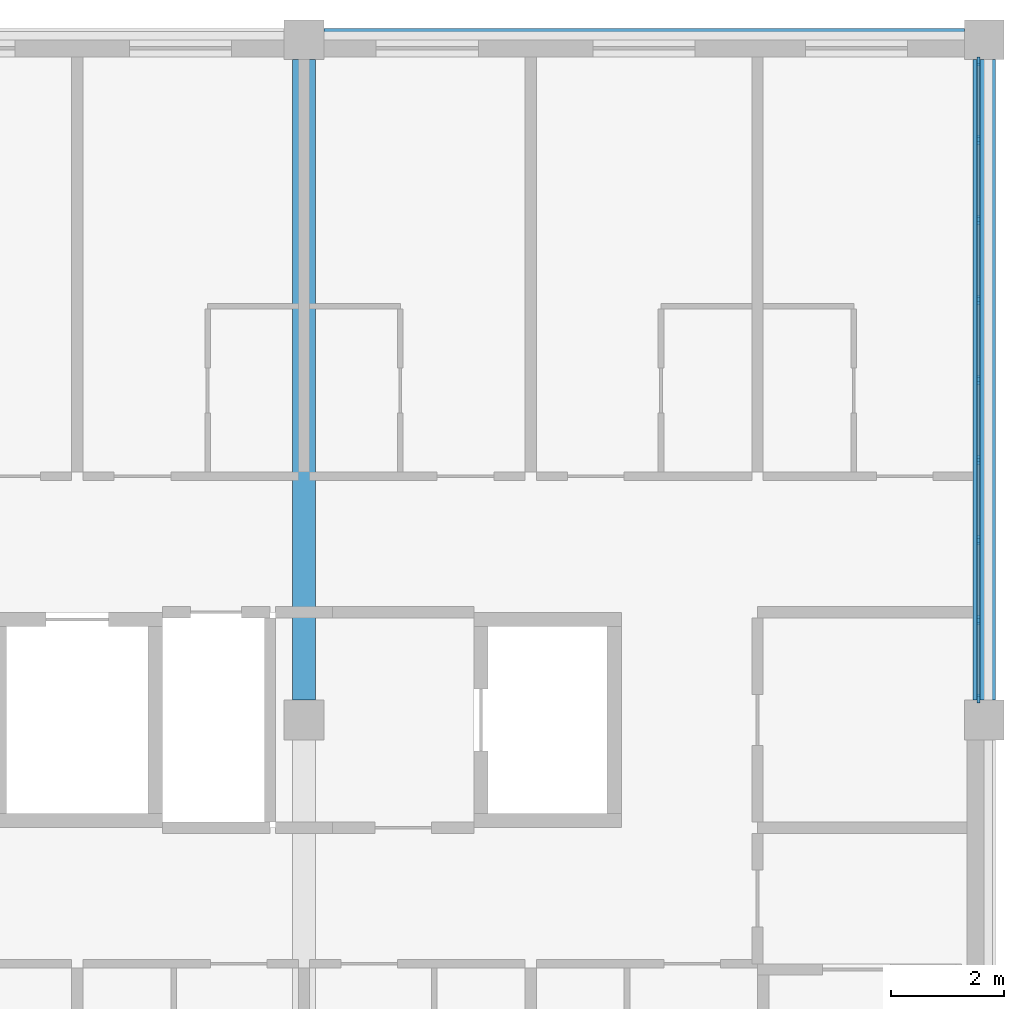
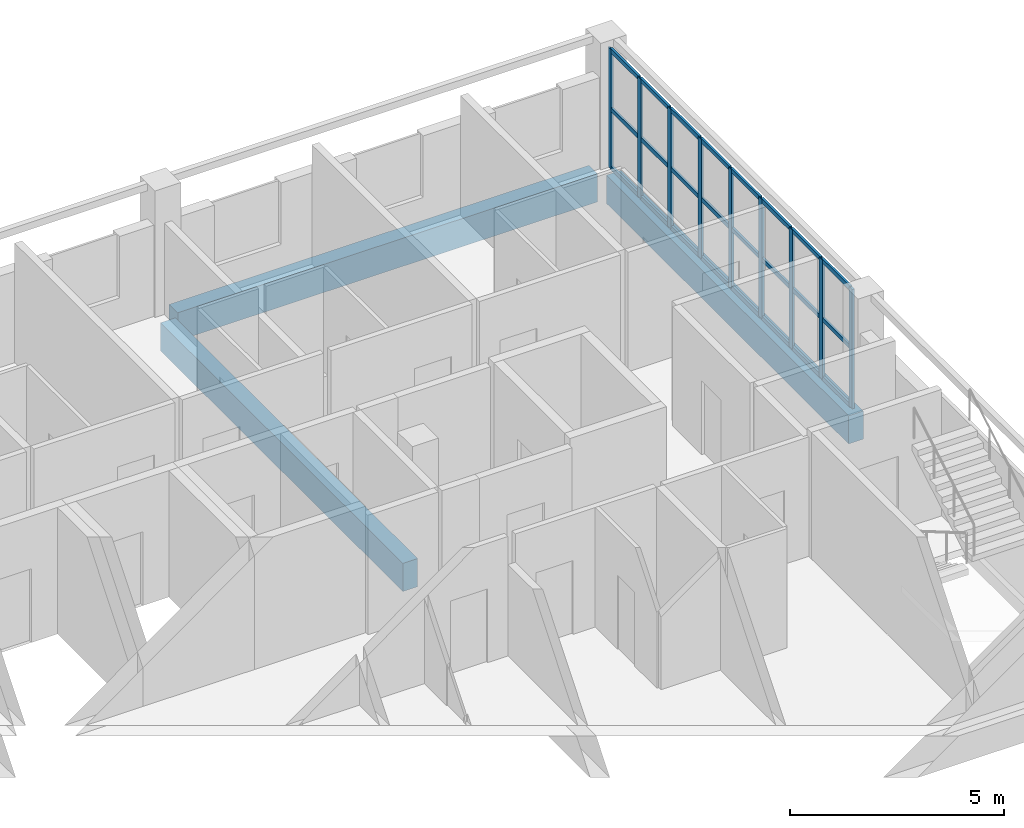
# One storey, part 4 of 11: 33 members, 3 beams, 1 element without a shape of its own.
"""IFC4 building model written with IfcOpenShell, lengths in metres."""

import ifcopenshell
import ifcopenshell.guid

model = None  # the IFC model being written
_history = None  # IfcOwnerHistory: only IFC2X3 demands one
_inside = {}  # id of a spatial element -> (the spatial element, [elements in it])
_under = {}  # id of a project, library or spatial element -> (it, [spatial elements below it])
_declared = {}  # id of a project -> (the project, [libraries it declares])
_typed = {}  # id of a type object -> (the type object, [elements of that type])
_made_of = {}  # id of a material, layer set ... -> (it, [elements and type objects made of it])


def new_model(schema):
    """Start an empty IFC model of exactly this schema.

    Asked for "IFC4X3", IfcOpenShell would pick the latest addendum, in which some entities
    have other attributes; the version numbers below select the first issue.
    IFC2X3 requires an IfcOwnerHistory on every rooted entity: one is made here for all.
    """
    global model, _history
    if schema == "IFC4X3":
        model = ifcopenshell.file(schema_version=(4, 3, 0, 0))
    else:
        model = ifcopenshell.file(schema=schema)
    _inside.clear()
    _under.clear()
    _declared.clear()
    _typed.clear()
    _made_of.clear()
    _history = None
    if model.schema == "IFC2X3":
        org = make("IfcOrganization", Name="unknown")
        user = make(
            "IfcPersonAndOrganization",
            ThePerson=make("IfcPerson", FamilyName="unknown"),
            TheOrganization=org,
        )
        app = make(
            "IfcApplication",
            ApplicationDeveloper=org,
            Version="unknown",
            ApplicationFullName="unknown",
            ApplicationIdentifier="unknown",
        )
        _history = make(
            "IfcOwnerHistory",
            OwningUser=user,
            OwningApplication=app,
            ChangeAction="ADDED",
            CreationDate=0,
        )
    return model


def make(cls, **values):
    """One entity of the class cls with the attributes given. An attribute that is None is left unset."""
    return model.create_entity(
        cls, **{name: value for name, value in values.items() if value is not None}
    )


def rooted(cls, **values):
    """An entity with a GlobalId (a new one), such as an element, a storey or a relation."""
    return make(cls, GlobalId=ifcopenshell.guid.new(), OwnerHistory=_history, **values)


def si_unit(unit_type, name, prefix=None):
    """IfcSIUnit, for example si_unit("LENGTHUNIT", "METRE", prefix="MILLI")."""
    return make("IfcSIUnit", UnitType=unit_type, Prefix=prefix, Name=name)


def assignment(units):
    """IfcUnitAssignment: the units of a project."""
    return None if units is None else make("IfcUnitAssignment", Units=units)


def point(xyz):
    """IfcCartesianPoint."""
    return None if xyz is None else make("IfcCartesianPoint", Coordinates=xyz)


def direction(xyz):
    """IfcDirection."""
    return None if xyz is None else make("IfcDirection", DirectionRatios=xyz)


def frame(location, z_axis=None, x_axis=None):
    """IfcAxis2Placement3D, a coordinate frame: its origin and axes. An axis left out is left unset."""
    return make(
        "IfcAxis2Placement3D",
        Location=point(location),
        Axis=direction(z_axis),
        RefDirection=direction(x_axis),
    )


def frame_2d(location, x_axis=None):
    """IfcAxis2Placement2D, a coordinate frame in the plane: its origin and x axis."""
    return make(
        "IfcAxis2Placement2D", Location=point(location), RefDirection=direction(x_axis)
    )


def origin():
    """The frame at (0, 0, 0) with its axes left unset."""
    return frame((0.0, 0.0, 0.0))


def origin_2d():
    """The frame at (0, 0) in the plane with its x axis left unset."""
    return frame_2d((0.0, 0.0))


def place(relative_to, where):
    """IfcLocalPlacement: puts the frame where relative to a parent placement (None: the world)."""
    return make(
        "IfcLocalPlacement", PlacementRelTo=relative_to, RelativePlacement=where
    )


def context(
    kind, dimensions, precision=None, world=None, true_north=None, identifier=None
):
    """IfcGeometricRepresentationContext, for example the 3D "Model" context."""
    return make(
        "IfcGeometricRepresentationContext",
        ContextIdentifier=identifier,
        ContextType=kind,
        CoordinateSpaceDimension=dimensions,
        Precision=precision,
        WorldCoordinateSystem=world,
        TrueNorth=true_north,
    )


def subcontext(parent, identifier, kind, view, scale=None):
    """IfcGeometricRepresentationSubContext, for example "Body" below "Model"."""
    return make(
        "IfcGeometricRepresentationSubContext",
        ContextIdentifier=identifier,
        ContextType=kind,
        ParentContext=parent,
        TargetScale=scale,
        TargetView=view,
    )


def project(units=None, contexts=None):
    """IfcProject with its units and contexts."""
    return rooted(
        "IfcProject",
        Name="project",
        RepresentationContexts=contexts,
        UnitsInContext=assignment(units),
    )


def spatial(cls, under=None, at=None, **own):
    """A site, building, storey or space (cls), placed at a placement, below another one or the project."""
    s = rooted(cls, ObjectPlacement=at, **own)
    if under is not None:
        _under.setdefault(under.id(), (under, []))[1].append(s)
    return s


def profile(cls, at=None, kind="AREA", **sizes):
    """A parametric profile (cls). Its sizes go by their IFC names, for example OverallWidth=200.0."""
    return make(cls, ProfileType=kind, Position=at, **sizes)


def rectangle(**sizes):
    """IfcRectangleProfileDef."""
    return profile("IfcRectangleProfileDef", **sizes)


def extrude(swept, where, along, depth):
    """IfcExtrudedAreaSolid: the profile swept, set in the frame where, extruded along a direction by depth."""
    return make(
        "IfcExtrudedAreaSolid",
        SweptArea=swept,
        Position=where,
        ExtrudedDirection=direction(along),
        Depth=depth,
    )


def shape(context_of_items, identifier, shape_type, items):
    """IfcShapeRepresentation: the items that make up one representation, for example the "Body"."""
    return make(
        "IfcShapeRepresentation",
        ContextOfItems=context_of_items,
        RepresentationIdentifier=identifier,
        RepresentationType=shape_type,
        Items=items,
    )


def material(Name=None, Category=None):
    """IfcMaterial."""
    return make("IfcMaterial", Name=Name, Category=Category)


def layer(
    of_material, thickness, ventilated=None, Name=None, Category=None, Priority=None
):
    """IfcMaterialLayer: one layer of a wall or slab, of a material (None: an air gap)."""
    return make(
        "IfcMaterialLayer",
        Material=of_material,
        LayerThickness=thickness,
        IsVentilated=ventilated,
        Name=Name,
        Category=Category,
        Priority=Priority,
    )


def layer_set(layers, Name=None):
    """IfcMaterialLayerSet."""
    return make("IfcMaterialLayerSet", MaterialLayers=layers, LayerSetName=Name)


def material_profile(
    of_material, cross_section, Name=None, Category=None, Priority=None
):
    """IfcMaterialProfile: a cross section and its material."""
    return make(
        "IfcMaterialProfile",
        Name=Name,
        Material=of_material,
        Profile=cross_section,
        Priority=Priority,
        Category=Category,
    )


def profile_set(profiles, Name=None, composite=None):
    """IfcMaterialProfileSet."""
    return make(
        "IfcMaterialProfileSet",
        Name=Name,
        MaterialProfiles=profiles,
        CompositeProfile=composite,
    )


def made_of(thing, what):
    """Note that an element or type object is made of a material, layer set ...; save() writes the relation."""
    if what is not None:
        _made_of.setdefault(what.id(), (what, []))[1].append(thing)
    return thing


def type_object(cls, material=None, **own):
    """A type object (cls), such as IfcWallType, which elements share."""
    return made_of(rooted(cls, **own), material)


def element(
    cls,
    number,
    at=None,
    inside=None,
    cuts=None,
    type_object=None,
    material=None,
    context=None,
    identifier="Body",
    shape_type=None,
    held_by="IfcProductDefinitionShape",
    body=None,
    shapes=None,
    **own,
):
    """One element of the class cls, such as IfcWall. Its Tag is "e" and its number.

    at: its placement. inside: the storey or other place that contains it. cuts: it is an
    opening in that element (IfcRelVoidsElement). A single representation is given by context,
    identifier, shape_type and body (its items); several are given by shapes. held_by: the class
    of the entity that holds the representations. save() writes the other relations.
    """
    e = rooted(cls, Tag="e%d" % number, ObjectPlacement=at, **own)
    if body is not None:
        shapes = [shape(context, identifier, shape_type, body)]
    if shapes is not None:
        e.Representation = make(held_by, Representations=shapes)
    if inside is not None:
        _inside.setdefault(inside.id(), (inside, []))[1].append(e)
    if cuts is not None:
        rooted(
            "IfcRelVoidsElement", RelatingBuildingElement=cuts, RelatedOpeningElement=e
        )
    if type_object is not None:
        _typed.setdefault(type_object.id(), (type_object, []))[1].append(e)
    return made_of(e, material)


def aggregate(whole, parts):
    """IfcRelAggregates: a whole, such as a stair, and the parts it consists of."""
    return rooted("IfcRelAggregates", RelatingObject=whole, RelatedObjects=parts)


def save(model, path):
    """Write the relations noted so far, then the file.

    IfcRelAggregates (storeys below a building ...), IfcRelContainedInSpatialStructure (elements
    in a storey), IfcRelDefinesByType, IfcRelAssociatesMaterial and IfcRelDeclares: one each for
    every whole, place, type object, material and project.
    """
    for whole, parts in _under.values():
        aggregate(whole, parts)
    for where, things in _inside.values():
        rooted(
            "IfcRelContainedInSpatialStructure",
            RelatedElements=things,
            RelatingStructure=where,
        )
    for kind, things in _typed.values():
        rooted("IfcRelDefinesByType", RelatedObjects=things, RelatingType=kind)
    for what, things in _made_of.values():
        rooted("IfcRelAssociatesMaterial", RelatedObjects=things, RelatingMaterial=what)
    for by, libraries in _declared.values():
        rooted("IfcRelDeclares", RelatingContext=by, RelatedDefinitions=libraries)
    model.write(path)


model = new_model("IFC4")

# Units and contexts
model_context = context("Model", 3, precision=1e-05, world=origin(), true_north=direction((0.0, 1.0)))
body_context = subcontext(model_context, "Body", "Model", "MODEL_VIEW")
ifc_project = project(units=[si_unit("LENGTHUNIT", "METRE"), si_unit("AREAUNIT", "SQUARE_METRE"), si_unit("VOLUMEUNIT", "CUBIC_METRE"), si_unit("PLANEANGLEUNIT", "RADIAN"), si_unit("MASSUNIT", "GRAM", prefix="KILO")], contexts=[model_context])

# Site, building, storey
site_placement = place(None, origin())
site = spatial("IfcSite", under=ifc_project, at=site_placement, CompositionType="ELEMENT")
building_placement = place(site_placement, origin())
building = spatial("IfcBuilding", under=site, at=building_placement, Name="Lilac Gate Convention Centre", CompositionType="ELEMENT")
storey_placement = place(building_placement, frame((0.0, 0.0, 53.39990234375)))
storey = spatial("IfcBuildingStorey", under=building, at=storey_placement, Name="L13", CompositionType="ELEMENT", Elevation=53.39990234375)

# Curtain wall, members
ifc_material_1 = material(Name="Aluminium framed double glazing", Category="aluminium")
ifc_layer = layer(ifc_material_1, 0.199951171875)
ifc_layer_set = layer_set([ifc_layer], Name="Aluminium framed double glazing")
curtain_wall_type = type_object("IfcCurtainWallType", Name="Unitised curtain wall 1500", PredefinedType="NOTDEFINED", material=ifc_layer_set)
curtain_wall_placement = place(storey_placement, origin())
curtain_wall = element("IfcCurtainWall", 1, at=curtain_wall_placement, inside=storey, type_object=curtain_wall_type, Name="Curtain wall E L13 2", PredefinedType="NOTDEFINED")
ifc_material_2 = material(Name="Aluminium alloy 6063", Category="aluminium")
ifc_material_profile_1 = material_profile(ifc_material_2, rectangle(XDim=0.06005859375, YDim=0.159912109375, at=origin_2d()), Name="Curtain wall mullion 60 x 160")
ifc_profile_set_1 = profile_set([ifc_material_profile_1], Name="Aluminium alloy 6063")
member_type_1 = type_object("IfcMemberType", Name="Curtain wall mullion 60 x 160", PredefinedType="MULLION", material=ifc_profile_set_1)
member_1_placement = place(storey_placement, frame((89.89990234375, 234.380126953125, 0.0), z_axis=(0.0, 0.0, 1.0), x_axis=(-1.0, 0.0, 0.0)))
member_1 = element("IfcMember", 2, at=member_1_placement, type_object=member_type_1, Name="CW mullion 1", PredefinedType="MULLION", context=body_context, shape_type="SweptSolid", body=[
    extrude(rectangle(XDim=0.06005859375, YDim=0.159912109375, at=origin_2d()), origin(), (0.0, 0.0, 1.0), 3.400146484375),
])
member_2_placement = place(storey_placement, frame((89.89990234375, 235.762451171875, 0.0), z_axis=(0.0, 0.0, 1.0), x_axis=(-1.0, 0.0, 0.0)))
member_2 = element("IfcMember", 3, at=member_2_placement, type_object=member_type_1, Name="CW mullion 2", PredefinedType="MULLION", context=body_context, shape_type="SweptSolid", body=[
    extrude(rectangle(XDim=0.06005859375, YDim=0.159912109375, at=origin_2d()), origin(), (0.0, 0.0, 1.0), 3.400146484375),
])
member_3_placement = place(storey_placement, frame((89.89990234375, 237.175048828125, 0.0), z_axis=(0.0, 0.0, 1.0), x_axis=(-1.0, 0.0, 0.0)))
member_3 = element("IfcMember", 4, at=member_3_placement, type_object=member_type_1, Name="CW mullion 3", PredefinedType="MULLION", context=body_context, shape_type="SweptSolid", body=[
    extrude(rectangle(XDim=0.06005859375, YDim=0.159912109375, at=origin_2d()), origin(), (0.0, 0.0, 1.0), 3.400146484375),
])
member_4_placement = place(storey_placement, frame((89.89990234375, 238.58740234375, 0.0), z_axis=(0.0, 0.0, 1.0), x_axis=(-1.0, 0.0, 0.0)))
member_4 = element("IfcMember", 5, at=member_4_placement, type_object=member_type_1, Name="CW mullion 4", PredefinedType="MULLION", context=body_context, shape_type="SweptSolid", body=[
    extrude(rectangle(XDim=0.06005859375, YDim=0.159912109375, at=origin_2d()), origin(), (0.0, 0.0, 1.0), 3.400146484375),
])
member_5_placement = place(storey_placement, frame((89.89990234375, 240.0, 0.0), z_axis=(0.0, 0.0, 1.0), x_axis=(-1.0, 0.0, 0.0)))
member_5 = element("IfcMember", 6, at=member_5_placement, type_object=member_type_1, Name="CW mullion 5", PredefinedType="MULLION", context=body_context, shape_type="SweptSolid", body=[
    extrude(rectangle(XDim=0.06005859375, YDim=0.159912109375, at=origin_2d()), origin(), (0.0, 0.0, 1.0), 3.400146484375),
])
member_6_placement = place(storey_placement, frame((89.89990234375, 241.41259765625, 0.0), z_axis=(0.0, 0.0, 1.0), x_axis=(-1.0, 0.0, 0.0)))
member_6 = element("IfcMember", 7, at=member_6_placement, type_object=member_type_1, Name="CW mullion 6", PredefinedType="MULLION", context=body_context, shape_type="SweptSolid", body=[
    extrude(rectangle(XDim=0.06005859375, YDim=0.159912109375, at=origin_2d()), origin(), (0.0, 0.0, 1.0), 3.400146484375),
])
member_7_placement = place(storey_placement, frame((89.89990234375, 242.824951171875, 0.0), z_axis=(0.0, 0.0, 1.0), x_axis=(-1.0, 0.0, 0.0)))
member_7 = element("IfcMember", 8, at=member_7_placement, type_object=member_type_1, Name="CW mullion 7", PredefinedType="MULLION", context=body_context, shape_type="SweptSolid", body=[
    extrude(rectangle(XDim=0.06005859375, YDim=0.159912109375, at=origin_2d()), origin(), (0.0, 0.0, 1.0), 3.400146484375),
])
member_8_placement = place(storey_placement, frame((89.89990234375, 244.237548828125, 0.0), z_axis=(0.0, 0.0, 1.0), x_axis=(-1.0, 0.0, 0.0)))
member_8 = element("IfcMember", 9, at=member_8_placement, type_object=member_type_1, Name="CW mullion 8", PredefinedType="MULLION", context=body_context, shape_type="SweptSolid", body=[
    extrude(rectangle(XDim=0.06005859375, YDim=0.159912109375, at=origin_2d()), origin(), (0.0, 0.0, 1.0), 3.400146484375),
])
member_9_placement = place(storey_placement, frame((89.89990234375, 245.619873046875, 0.0), z_axis=(0.0, 0.0, 1.0), x_axis=(-1.0, 0.0, 0.0)))
member_9 = element("IfcMember", 10, at=member_9_placement, type_object=member_type_1, Name="CW mullion 9", PredefinedType="MULLION", context=body_context, shape_type="SweptSolid", body=[
    extrude(rectangle(XDim=0.06005859375, YDim=0.159912109375, at=origin_2d()), origin(), (0.0, 0.0, 1.0), 3.400146484375),
])
ifc_material_profile_2 = material_profile(ifc_material_2, rectangle(XDim=0.06005859375, YDim=0.1201171875, at=origin_2d()), Name="Curtain wall transom 60 x 120")
ifc_profile_set_2 = profile_set([ifc_material_profile_2], Name="Aluminium alloy 6063")
member_type_2 = type_object("IfcMemberType", Name="Curtain wall transom 60 x 120", PredefinedType="USERDEFINED", material=ifc_profile_set_2)
member_10_placement = place(storey_placement, frame((89.89990234375, 234.41015625, 0.030029296875), z_axis=(0.0, 1.0, 0.0), x_axis=(-1.0, 0.0, 0.0)))
member_10 = element("IfcMember", 11, at=member_10_placement, type_object=member_type_2, Name="CW transom 1.1", ObjectType="TRANSOM", PredefinedType="USERDEFINED", context=body_context, shape_type="SweptSolid", body=[
    extrude(rectangle(XDim=0.06005859375, YDim=0.1201171875, at=origin_2d()), origin(), (0.0, 0.0, 1.0), 1.322509765625),
])
member_11_placement = place(storey_placement, frame((89.89990234375, 234.41015625, 1.7001953125), z_axis=(0.0, 1.0, 0.0), x_axis=(-1.0, 0.0, 0.0)))
member_11 = element("IfcMember", 12, at=member_11_placement, type_object=member_type_2, Name="CW transom 1.2", ObjectType="TRANSOM", PredefinedType="USERDEFINED", context=body_context, shape_type="SweptSolid", body=[
    extrude(rectangle(XDim=0.06005859375, YDim=0.1201171875, at=origin_2d()), origin(), (0.0, 0.0, 1.0), 1.322509765625),
])
member_12_placement = place(storey_placement, frame((89.89990234375, 234.41015625, 3.3701171875), z_axis=(0.0, 1.0, 0.0), x_axis=(-1.0, 0.0, 0.0)))
member_12 = element("IfcMember", 13, at=member_12_placement, type_object=member_type_2, Name="CW transom 1.3", ObjectType="TRANSOM", PredefinedType="USERDEFINED", context=body_context, shape_type="SweptSolid", body=[
    extrude(rectangle(XDim=0.06005859375, YDim=0.1201171875, at=origin_2d()), origin(), (0.0, 0.0, 1.0), 1.322509765625),
])
member_13_placement = place(storey_placement, frame((89.89990234375, 235.79248046875, 0.030029296875), z_axis=(0.0, 1.0, 0.0), x_axis=(-1.0, 0.0, 0.0)))
member_13 = element("IfcMember", 14, at=member_13_placement, type_object=member_type_2, Name="CW transom 2.1", ObjectType="TRANSOM", PredefinedType="USERDEFINED", context=body_context, shape_type="SweptSolid", body=[
    extrude(rectangle(XDim=0.06005859375, YDim=0.1201171875, at=origin_2d()), origin(), (0.0, 0.0, 1.0), 1.3525390625),
])
member_14_placement = place(storey_placement, frame((89.89990234375, 235.79248046875, 1.7001953125), z_axis=(0.0, 1.0, 0.0), x_axis=(-1.0, 0.0, 0.0)))
member_14 = element("IfcMember", 15, at=member_14_placement, type_object=member_type_2, Name="CW transom 2.2", ObjectType="TRANSOM", PredefinedType="USERDEFINED", context=body_context, shape_type="SweptSolid", body=[
    extrude(rectangle(XDim=0.06005859375, YDim=0.1201171875, at=origin_2d()), origin(), (0.0, 0.0, 1.0), 1.3525390625),
])
member_15_placement = place(storey_placement, frame((89.89990234375, 235.79248046875, 3.3701171875), z_axis=(0.0, 1.0, 0.0), x_axis=(-1.0, 0.0, 0.0)))
member_15 = element("IfcMember", 16, at=member_15_placement, type_object=member_type_2, Name="CW transom 2.3", ObjectType="TRANSOM", PredefinedType="USERDEFINED", context=body_context, shape_type="SweptSolid", body=[
    extrude(rectangle(XDim=0.06005859375, YDim=0.1201171875, at=origin_2d()), origin(), (0.0, 0.0, 1.0), 1.3525390625),
])
member_16_placement = place(storey_placement, frame((89.89990234375, 237.205078125, 0.030029296875), z_axis=(0.0, 1.0, 0.0), x_axis=(-1.0, 0.0, 0.0)))
member_16 = element("IfcMember", 17, at=member_16_placement, type_object=member_type_2, Name="CW transom 3.1", ObjectType="TRANSOM", PredefinedType="USERDEFINED", context=body_context, shape_type="SweptSolid", body=[
    extrude(rectangle(XDim=0.06005859375, YDim=0.1201171875, at=origin_2d()), origin(), (0.0, 0.0, 1.0), 1.3525390625),
])
member_17_placement = place(storey_placement, frame((89.89990234375, 237.205078125, 1.7001953125), z_axis=(0.0, 1.0, 0.0), x_axis=(-1.0, 0.0, 0.0)))
member_17 = element("IfcMember", 18, at=member_17_placement, type_object=member_type_2, Name="CW transom 3.2", ObjectType="TRANSOM", PredefinedType="USERDEFINED", context=body_context, shape_type="SweptSolid", body=[
    extrude(rectangle(XDim=0.06005859375, YDim=0.1201171875, at=origin_2d()), origin(), (0.0, 0.0, 1.0), 1.3525390625),
])
member_18_placement = place(storey_placement, frame((89.89990234375, 237.205078125, 3.3701171875), z_axis=(0.0, 1.0, 0.0), x_axis=(-1.0, 0.0, 0.0)))
member_18 = element("IfcMember", 19, at=member_18_placement, type_object=member_type_2, Name="CW transom 3.3", ObjectType="TRANSOM", PredefinedType="USERDEFINED", context=body_context, shape_type="SweptSolid", body=[
    extrude(rectangle(XDim=0.06005859375, YDim=0.1201171875, at=origin_2d()), origin(), (0.0, 0.0, 1.0), 1.3525390625),
])
member_19_placement = place(storey_placement, frame((89.89990234375, 238.617431640625, 0.030029296875), z_axis=(0.0, 1.0, 0.0), x_axis=(-1.0, 0.0, 0.0)))
member_19 = element("IfcMember", 20, at=member_19_placement, type_object=member_type_2, Name="CW transom 4.1", ObjectType="TRANSOM", PredefinedType="USERDEFINED", context=body_context, shape_type="SweptSolid", body=[
    extrude(rectangle(XDim=0.06005859375, YDim=0.1201171875, at=origin_2d()), origin(), (0.0, 0.0, 1.0), 1.3525390625),
])
member_20_placement = place(storey_placement, frame((89.89990234375, 238.617431640625, 1.7001953125), z_axis=(0.0, 1.0, 0.0), x_axis=(-1.0, 0.0, 0.0)))
member_20 = element("IfcMember", 21, at=member_20_placement, type_object=member_type_2, Name="CW transom 4.2", ObjectType="TRANSOM", PredefinedType="USERDEFINED", context=body_context, shape_type="SweptSolid", body=[
    extrude(rectangle(XDim=0.06005859375, YDim=0.1201171875, at=origin_2d()), origin(), (0.0, 0.0, 1.0), 1.3525390625),
])
member_21_placement = place(storey_placement, frame((89.89990234375, 238.617431640625, 3.3701171875), z_axis=(0.0, 1.0, 0.0), x_axis=(-1.0, 0.0, 0.0)))
member_21 = element("IfcMember", 22, at=member_21_placement, type_object=member_type_2, Name="CW transom 4.3", ObjectType="TRANSOM", PredefinedType="USERDEFINED", context=body_context, shape_type="SweptSolid", body=[
    extrude(rectangle(XDim=0.06005859375, YDim=0.1201171875, at=origin_2d()), origin(), (0.0, 0.0, 1.0), 1.3525390625),
])
member_22_placement = place(storey_placement, frame((89.89990234375, 240.030029296875, 0.030029296875), z_axis=(0.0, 1.0, 0.0), x_axis=(-1.0, 0.0, 0.0)))
member_22 = element("IfcMember", 23, at=member_22_placement, type_object=member_type_2, Name="CW transom 5.1", ObjectType="TRANSOM", PredefinedType="USERDEFINED", context=body_context, shape_type="SweptSolid", body=[
    extrude(rectangle(XDim=0.06005859375, YDim=0.1201171875, at=origin_2d()), origin(), (0.0, 0.0, 1.0), 1.3525390625),
])
member_23_placement = place(storey_placement, frame((89.89990234375, 240.030029296875, 1.7001953125), z_axis=(0.0, 1.0, 0.0), x_axis=(-1.0, 0.0, 0.0)))
member_23 = element("IfcMember", 24, at=member_23_placement, type_object=member_type_2, Name="CW transom 5.2", ObjectType="TRANSOM", PredefinedType="USERDEFINED", context=body_context, shape_type="SweptSolid", body=[
    extrude(rectangle(XDim=0.06005859375, YDim=0.1201171875, at=origin_2d()), origin(), (0.0, 0.0, 1.0), 1.3525390625),
])
member_24_placement = place(storey_placement, frame((89.89990234375, 240.030029296875, 3.3701171875), z_axis=(0.0, 1.0, 0.0), x_axis=(-1.0, 0.0, 0.0)))
member_24 = element("IfcMember", 25, at=member_24_placement, type_object=member_type_2, Name="CW transom 5.3", ObjectType="TRANSOM", PredefinedType="USERDEFINED", context=body_context, shape_type="SweptSolid", body=[
    extrude(rectangle(XDim=0.06005859375, YDim=0.1201171875, at=origin_2d()), origin(), (0.0, 0.0, 1.0), 1.3525390625),
])
member_25_placement = place(storey_placement, frame((89.89990234375, 241.4423828125, 0.030029296875), z_axis=(0.0, 1.0, 0.0), x_axis=(-1.0, 0.0, 0.0)))
member_25 = element("IfcMember", 26, at=member_25_placement, type_object=member_type_2, Name="CW transom 6.1", ObjectType="TRANSOM", PredefinedType="USERDEFINED", context=body_context, shape_type="SweptSolid", body=[
    extrude(rectangle(XDim=0.06005859375, YDim=0.1201171875, at=origin_2d()), origin(), (0.0, 0.0, 1.0), 1.3525390625),
])
member_26_placement = place(storey_placement, frame((89.89990234375, 241.4423828125, 1.7001953125), z_axis=(0.0, 1.0, 0.0), x_axis=(-1.0, 0.0, 0.0)))
member_26 = element("IfcMember", 27, at=member_26_placement, type_object=member_type_2, Name="CW transom 6.2", ObjectType="TRANSOM", PredefinedType="USERDEFINED", context=body_context, shape_type="SweptSolid", body=[
    extrude(rectangle(XDim=0.06005859375, YDim=0.1201171875, at=origin_2d()), origin(), (0.0, 0.0, 1.0), 1.3525390625),
])
member_27_placement = place(storey_placement, frame((89.89990234375, 241.4423828125, 3.3701171875), z_axis=(0.0, 1.0, 0.0), x_axis=(-1.0, 0.0, 0.0)))
member_27 = element("IfcMember", 28, at=member_27_placement, type_object=member_type_2, Name="CW transom 6.3", ObjectType="TRANSOM", PredefinedType="USERDEFINED", context=body_context, shape_type="SweptSolid", body=[
    extrude(rectangle(XDim=0.06005859375, YDim=0.1201171875, at=origin_2d()), origin(), (0.0, 0.0, 1.0), 1.3525390625),
])
member_28_placement = place(storey_placement, frame((89.89990234375, 242.85498046875, 0.030029296875), z_axis=(0.0, 1.0, 0.0), x_axis=(-1.0, 0.0, 0.0)))
member_28 = element("IfcMember", 29, at=member_28_placement, type_object=member_type_2, Name="CW transom 7.1", ObjectType="TRANSOM", PredefinedType="USERDEFINED", context=body_context, shape_type="SweptSolid", body=[
    extrude(rectangle(XDim=0.06005859375, YDim=0.1201171875, at=origin_2d()), origin(), (0.0, 0.0, 1.0), 1.3525390625),
])
member_29_placement = place(storey_placement, frame((89.89990234375, 242.85498046875, 1.7001953125), z_axis=(0.0, 1.0, 0.0), x_axis=(-1.0, 0.0, 0.0)))
member_29 = element("IfcMember", 30, at=member_29_placement, type_object=member_type_2, Name="CW transom 7.2", ObjectType="TRANSOM", PredefinedType="USERDEFINED", context=body_context, shape_type="SweptSolid", body=[
    extrude(rectangle(XDim=0.06005859375, YDim=0.1201171875, at=origin_2d()), origin(), (0.0, 0.0, 1.0), 1.3525390625),
])
member_30_placement = place(storey_placement, frame((89.89990234375, 242.85498046875, 3.3701171875), z_axis=(0.0, 1.0, 0.0), x_axis=(-1.0, 0.0, 0.0)))
member_30 = element("IfcMember", 31, at=member_30_placement, type_object=member_type_2, Name="CW transom 7.3", ObjectType="TRANSOM", PredefinedType="USERDEFINED", context=body_context, shape_type="SweptSolid", body=[
    extrude(rectangle(XDim=0.06005859375, YDim=0.1201171875, at=origin_2d()), origin(), (0.0, 0.0, 1.0), 1.3525390625),
])
member_31_placement = place(storey_placement, frame((89.89990234375, 244.267333984375, 0.030029296875), z_axis=(0.0, 1.0, 0.0), x_axis=(-1.0, 0.0, 0.0)))
member_31 = element("IfcMember", 32, at=member_31_placement, type_object=member_type_2, Name="CW transom 8.1", ObjectType="TRANSOM", PredefinedType="USERDEFINED", context=body_context, shape_type="SweptSolid", body=[
    extrude(rectangle(XDim=0.06005859375, YDim=0.1201171875, at=origin_2d()), origin(), (0.0, 0.0, 1.0), 1.322509765625),
])
member_32_placement = place(storey_placement, frame((89.89990234375, 244.267333984375, 1.7001953125), z_axis=(0.0, 1.0, 0.0), x_axis=(-1.0, 0.0, 0.0)))
member_32 = element("IfcMember", 33, at=member_32_placement, type_object=member_type_2, Name="CW transom 8.2", ObjectType="TRANSOM", PredefinedType="USERDEFINED", context=body_context, shape_type="SweptSolid", body=[
    extrude(rectangle(XDim=0.06005859375, YDim=0.1201171875, at=origin_2d()), origin(), (0.0, 0.0, 1.0), 1.322509765625),
])
member_33_placement = place(storey_placement, frame((89.89990234375, 244.267333984375, 3.3701171875), z_axis=(0.0, 1.0, 0.0), x_axis=(-1.0, 0.0, 0.0)))
member_33 = element("IfcMember", 34, at=member_33_placement, type_object=member_type_2, Name="CW transom 8.3", ObjectType="TRANSOM", PredefinedType="USERDEFINED", context=body_context, shape_type="SweptSolid", body=[
    extrude(rectangle(XDim=0.06005859375, YDim=0.1201171875, at=origin_2d()), origin(), (0.0, 0.0, 1.0), 1.322509765625),
])
aggregate(curtain_wall, [member_1, member_2, member_3, member_4, member_5, member_6, member_7, member_8, member_9, member_10, member_11, member_12, member_13, member_14, member_15, member_16, member_17, member_18, member_19, member_20, member_21, member_22, member_23, member_24, member_25, member_26, member_27, member_28, member_29, member_30, member_31, member_32, member_33])

# Beams
ifc_material_3 = material(Name="Concrete C40", Category="concrete")
ifc_material_profile_3 = material_profile(ifc_material_3, rectangle(XDim=0.39990234375, YDim=0.800048828125, at=origin_2d()), Name="RC 400x800")
ifc_profile_set_3 = profile_set([ifc_material_profile_3], Name="Concrete C40")
beam_type = type_object("IfcBeamType", Name="Tower primary beam 400x800 C40", PredefinedType="BEAM", material=ifc_profile_set_3)
for number, where, z_axis, x_axis, name in (
    (35, (78.35009765625, 246.0, -0.599853515625), (1.0, 0.0, 0.0), (0.0, 1.0, 0.0), "RB3 L13 7/U-8/U"),
    (36, (78.0, 234.35009765625, -0.599853515625), (0.0, 1.0, 0.0), (-1.0, 0.0, 0.0), "RB3 L13 7/T-7/U"),
    (37, (90.0, 234.35009765625, -0.599853515625), (0.0, 1.0, 0.0), (-1.0, 0.0, 0.0), "RB3 L13 8/T-8/U"),
):
    element("IfcBeam", number, at=place(storey_placement, frame(where, z_axis=z_axis, x_axis=x_axis)), inside=storey, type_object=beam_type, Name=name, PredefinedType="BEAM", context=body_context, shape_type="SweptSolid", body=[
        extrude(rectangle(XDim=0.39990234375, YDim=0.800048828125, at=origin_2d()), origin(), (0.0, 0.0, 1.0), 11.2998046875),
    ])

save(model, "model.ifc")
